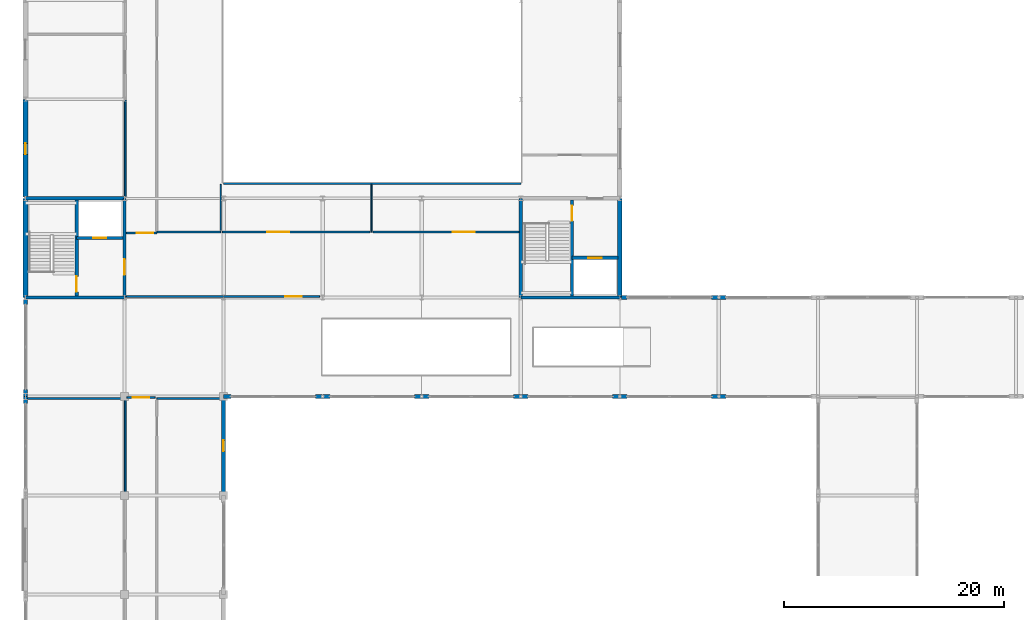
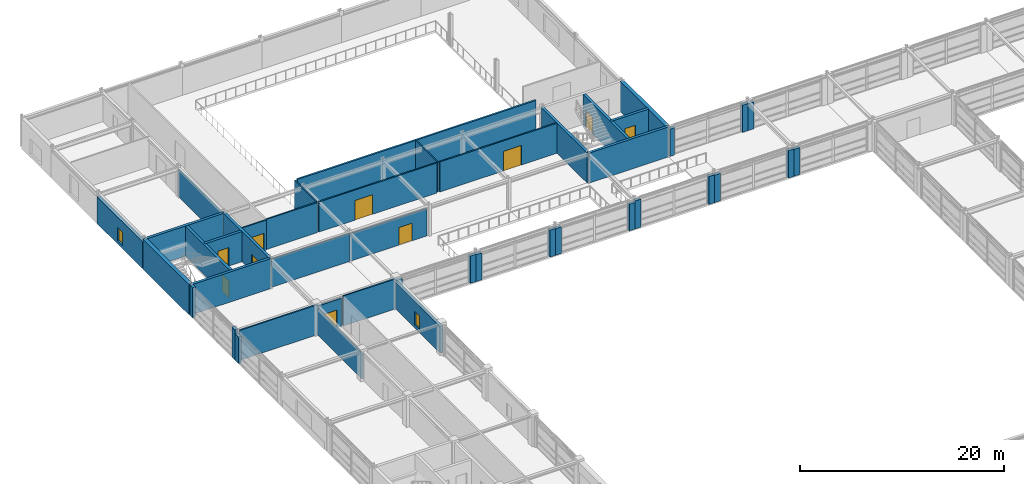
# One storey, part 67 of 79: 44 walls, 10 doors, 2 windows, 12 openings.
"""IFC4 building model written with IfcOpenShell, lengths in metres."""

import ifcopenshell
import ifcopenshell.guid

model = None  # the IFC model being written
_history = None  # IfcOwnerHistory: only IFC2X3 demands one
_inside = {}  # id of a spatial element -> (the spatial element, [elements in it])
_under = {}  # id of a project, library or spatial element -> (it, [spatial elements below it])
_declared = {}  # id of a project -> (the project, [libraries it declares])
_typed = {}  # id of a type object -> (the type object, [elements of that type])
_made_of = {}  # id of a material, layer set ... -> (it, [elements and type objects made of it])


def new_model(schema):
    """Start an empty IFC model of exactly this schema.

    Asked for "IFC4X3", IfcOpenShell would pick the latest addendum, in which some entities
    have other attributes; the version numbers below select the first issue.
    IFC2X3 requires an IfcOwnerHistory on every rooted entity: one is made here for all.
    """
    global model, _history
    if schema == "IFC4X3":
        model = ifcopenshell.file(schema_version=(4, 3, 0, 0))
    else:
        model = ifcopenshell.file(schema=schema)
    _inside.clear()
    _under.clear()
    _declared.clear()
    _typed.clear()
    _made_of.clear()
    _history = None
    if model.schema == "IFC2X3":
        org = make("IfcOrganization", Name="unknown")
        user = make(
            "IfcPersonAndOrganization",
            ThePerson=make("IfcPerson", FamilyName="unknown"),
            TheOrganization=org,
        )
        app = make(
            "IfcApplication",
            ApplicationDeveloper=org,
            Version="unknown",
            ApplicationFullName="unknown",
            ApplicationIdentifier="unknown",
        )
        _history = make(
            "IfcOwnerHistory",
            OwningUser=user,
            OwningApplication=app,
            ChangeAction="ADDED",
            CreationDate=0,
        )
    return model


def make(cls, **values):
    """One entity of the class cls with the attributes given. An attribute that is None is left unset."""
    return model.create_entity(
        cls, **{name: value for name, value in values.items() if value is not None}
    )


def rooted(cls, **values):
    """An entity with a GlobalId (a new one), such as an element, a storey or a relation."""
    return make(cls, GlobalId=ifcopenshell.guid.new(), OwnerHistory=_history, **values)


def si_unit(unit_type, name, prefix=None):
    """IfcSIUnit, for example si_unit("LENGTHUNIT", "METRE", prefix="MILLI")."""
    return make("IfcSIUnit", UnitType=unit_type, Prefix=prefix, Name=name)


def assignment(units):
    """IfcUnitAssignment: the units of a project."""
    return None if units is None else make("IfcUnitAssignment", Units=units)


def point(xyz):
    """IfcCartesianPoint."""
    return None if xyz is None else make("IfcCartesianPoint", Coordinates=xyz)


def direction(xyz):
    """IfcDirection."""
    return None if xyz is None else make("IfcDirection", DirectionRatios=xyz)


def frame(location, z_axis=None, x_axis=None):
    """IfcAxis2Placement3D, a coordinate frame: its origin and axes. An axis left out is left unset."""
    return make(
        "IfcAxis2Placement3D",
        Location=point(location),
        Axis=direction(z_axis),
        RefDirection=direction(x_axis),
    )


def frame_2d(location, x_axis=None):
    """IfcAxis2Placement2D, a coordinate frame in the plane: its origin and x axis."""
    return make(
        "IfcAxis2Placement2D", Location=point(location), RefDirection=direction(x_axis)
    )


def origin():
    """The frame at (0, 0, 0) with its axes left unset."""
    return frame((0.0, 0.0, 0.0))


def place(relative_to, where):
    """IfcLocalPlacement: puts the frame where relative to a parent placement (None: the world)."""
    return make(
        "IfcLocalPlacement", PlacementRelTo=relative_to, RelativePlacement=where
    )


def context(
    kind, dimensions, precision=None, world=None, true_north=None, identifier=None
):
    """IfcGeometricRepresentationContext, for example the 3D "Model" context."""
    return make(
        "IfcGeometricRepresentationContext",
        ContextIdentifier=identifier,
        ContextType=kind,
        CoordinateSpaceDimension=dimensions,
        Precision=precision,
        WorldCoordinateSystem=world,
        TrueNorth=true_north,
    )


def subcontext(parent, identifier, kind, view, scale=None):
    """IfcGeometricRepresentationSubContext, for example "Body" below "Model"."""
    return make(
        "IfcGeometricRepresentationSubContext",
        ContextIdentifier=identifier,
        ContextType=kind,
        ParentContext=parent,
        TargetScale=scale,
        TargetView=view,
    )


def project(units=None, contexts=None):
    """IfcProject with its units and contexts."""
    return rooted(
        "IfcProject",
        Name="project",
        RepresentationContexts=contexts,
        UnitsInContext=assignment(units),
    )


def spatial(cls, under=None, at=None, **own):
    """A site, building, storey or space (cls), placed at a placement, below another one or the project."""
    s = rooted(cls, ObjectPlacement=at, **own)
    if under is not None:
        _under.setdefault(under.id(), (under, []))[1].append(s)
    return s


def profile(cls, at=None, kind="AREA", **sizes):
    """A parametric profile (cls). Its sizes go by their IFC names, for example OverallWidth=200.0."""
    return make(cls, ProfileType=kind, Position=at, **sizes)


def rectangle(**sizes):
    """IfcRectangleProfileDef."""
    return profile("IfcRectangleProfileDef", **sizes)


def extrude(swept, where, along, depth):
    """IfcExtrudedAreaSolid: the profile swept, set in the frame where, extruded along a direction by depth."""
    return make(
        "IfcExtrudedAreaSolid",
        SweptArea=swept,
        Position=where,
        ExtrudedDirection=direction(along),
        Depth=depth,
    )


def shape(context_of_items, identifier, shape_type, items):
    """IfcShapeRepresentation: the items that make up one representation, for example the "Body"."""
    return make(
        "IfcShapeRepresentation",
        ContextOfItems=context_of_items,
        RepresentationIdentifier=identifier,
        RepresentationType=shape_type,
        Items=items,
    )


def material(Name=None, Category=None):
    """IfcMaterial."""
    return make("IfcMaterial", Name=Name, Category=Category)


def layer(
    of_material, thickness, ventilated=None, Name=None, Category=None, Priority=None
):
    """IfcMaterialLayer: one layer of a wall or slab, of a material (None: an air gap)."""
    return make(
        "IfcMaterialLayer",
        Material=of_material,
        LayerThickness=thickness,
        IsVentilated=ventilated,
        Name=Name,
        Category=Category,
        Priority=Priority,
    )


def layer_set(layers, Name=None):
    """IfcMaterialLayerSet."""
    return make("IfcMaterialLayerSet", MaterialLayers=layers, LayerSetName=Name)


def made_of(thing, what):
    """Note that an element or type object is made of a material, layer set ...; save() writes the relation."""
    if what is not None:
        _made_of.setdefault(what.id(), (what, []))[1].append(thing)
    return thing


def type_object(cls, material=None, **own):
    """A type object (cls), such as IfcWallType, which elements share."""
    return made_of(rooted(cls, **own), material)


def element(
    cls,
    number,
    at=None,
    inside=None,
    cuts=None,
    type_object=None,
    material=None,
    context=None,
    identifier="Body",
    shape_type=None,
    held_by="IfcProductDefinitionShape",
    body=None,
    shapes=None,
    **own,
):
    """One element of the class cls, such as IfcWall. Its Tag is "e" and its number.

    at: its placement. inside: the storey or other place that contains it. cuts: it is an
    opening in that element (IfcRelVoidsElement). A single representation is given by context,
    identifier, shape_type and body (its items); several are given by shapes. held_by: the class
    of the entity that holds the representations. save() writes the other relations.
    """
    e = rooted(cls, Tag="e%d" % number, ObjectPlacement=at, **own)
    if body is not None:
        shapes = [shape(context, identifier, shape_type, body)]
    if shapes is not None:
        e.Representation = make(held_by, Representations=shapes)
    if inside is not None:
        _inside.setdefault(inside.id(), (inside, []))[1].append(e)
    if cuts is not None:
        rooted(
            "IfcRelVoidsElement", RelatingBuildingElement=cuts, RelatedOpeningElement=e
        )
    if type_object is not None:
        _typed.setdefault(type_object.id(), (type_object, []))[1].append(e)
    return made_of(e, material)


def fill(opening, filler):
    """IfcRelFillsElement: the door or window that sits in an opening."""
    return rooted(
        "IfcRelFillsElement",
        RelatingOpeningElement=opening,
        RelatedBuildingElement=filler,
    )


def aggregate(whole, parts):
    """IfcRelAggregates: a whole, such as a stair, and the parts it consists of."""
    return rooted("IfcRelAggregates", RelatingObject=whole, RelatedObjects=parts)


def save(model, path):
    """Write the relations noted so far, then the file.

    IfcRelAggregates (storeys below a building ...), IfcRelContainedInSpatialStructure (elements
    in a storey), IfcRelDefinesByType, IfcRelAssociatesMaterial and IfcRelDeclares: one each for
    every whole, place, type object, material and project.
    """
    for whole, parts in _under.values():
        aggregate(whole, parts)
    for where, things in _inside.values():
        rooted(
            "IfcRelContainedInSpatialStructure",
            RelatedElements=things,
            RelatingStructure=where,
        )
    for kind, things in _typed.values():
        rooted("IfcRelDefinesByType", RelatedObjects=things, RelatingType=kind)
    for what, things in _made_of.values():
        rooted("IfcRelAssociatesMaterial", RelatedObjects=things, RelatingMaterial=what)
    for by, libraries in _declared.values():
        rooted("IfcRelDeclares", RelatingContext=by, RelatedDefinitions=libraries)
    model.write(path)


model = new_model("IFC4")

# Units and contexts
model_context = context("Model", 3, precision=1e-05, world=origin(), true_north=direction((0.0, 1.0)))
body_context = subcontext(model_context, "Body", "Model", "MODEL_VIEW")
ifc_project = project(units=[si_unit("LENGTHUNIT", "METRE"), si_unit("AREAUNIT", "SQUARE_METRE"), si_unit("VOLUMEUNIT", "CUBIC_METRE"), si_unit("PLANEANGLEUNIT", "RADIAN"), si_unit("MASSUNIT", "GRAM", prefix="KILO")], contexts=[model_context])

# Site, building, storey
site_placement = place(None, origin())
site = spatial("IfcSite", under=ifc_project, at=site_placement, CompositionType="ELEMENT")
building_placement = place(site_placement, origin())
building = spatial("IfcBuilding", under=site, at=building_placement, Name="Palais des Congres Ocreval", CompositionType="ELEMENT")
storey_placement = place(building_placement, frame((0.0, 0.0, 4.320068359375)))
storey = spatial("IfcBuildingStorey", under=building, at=storey_placement, Name="L01", CompositionType="ELEMENT", Elevation=4.320068359375)

# Walls
ifc_material_1 = material(Name="Gypsum acoustic fire board")
ifc_layer_1 = layer(ifc_material_1, 0.199951171875)
ifc_layer_set_1 = layer_set([ifc_layer_1], Name="Compartment Fire Partition 200 Gypsum (Gypsum acoustic fire board)")
wall_type_1 = type_object("IfcWallType", Name="Compartment Fire Partition 200 Gypsum", PredefinedType="PARTITIONING", material=ifc_layer_set_1)
wall_1_placement = place(storey_placement, frame((18.0, 91.35009765625, 0.0), z_axis=(0.0, 0.0, 1.0), x_axis=(1.0, 0.0, 0.0)))
element("IfcWall", 1, at=wall_1_placement, inside=storey, type_object=wall_type_1, Name="Interpretation Booths Acoustic Viewing Wall", PredefinedType="PARTITIONING", context=body_context, shape_type="SweptSolid", body=[
    extrude(rectangle(XDim=27.0, YDim=0.199951171875, at=frame_2d((13.5, 0.0))), origin(), (0.0, 0.0, 1.0), 3.599853515625),
])
ifc_material_2 = material(Name="Concrete C40/50", Category="concrete")
ifc_layer_2 = layer(ifc_material_2, 0.419921875)
ifc_layer_set_2 = layer_set([ifc_layer_2], Name="Congress Stone Facade Wall 420 Concrete C40/50")
wall_type_2 = type_object("IfcWallType", Name="Congress Stone Facade Wall 420 Concrete C40/50", PredefinedType="SOLIDWALL", material=ifc_layer_set_2)
wall_2_placement = place(storey_placement, frame((0.0, 81.0, 0.0), z_axis=(0.0, 0.0, 1.0), x_axis=(0.0, 1.0, 0.0)))
element("IfcWall", 2, at=wall_2_placement, inside=storey, type_object=wall_type_2, Name="Core Perimeter Shear Wall EW02 SC05 L01", PredefinedType="SOLIDWALL", context=body_context, shape_type="SweptSolid", body=[
    extrude(rectangle(XDim=9.0, YDim=0.419921875, at=frame_2d((4.5, 0.0))), origin(), (0.0, 0.0, 1.0), 3.599853515625),
])

# Wall, opening, window
wall_3_placement = place(storey_placement, frame((0.0, 90.1298828125, 0.0), z_axis=(0.0, 0.0, 1.0), x_axis=(0.0, 1.0, 0.0)))
wall_3 = element("IfcWall", 3, at=wall_3_placement, inside=storey, type_object=wall_type_2, Name="Exterior Wall EW02 L01", PredefinedType="SOLIDWALL", context=body_context, shape_type="SweptSolid", body=[
    extrude(rectangle(XDim=8.8701171875, YDim=0.419921875, at=frame_2d((4.43505859375, 0.0))), origin(), (0.0, 0.0, 1.0), 3.219970703125),
])
opening_1_placement = place(wall_3_placement, frame((3.8701171875, 0.0, 0.39990234375)))
opening_1 = element("IfcOpeningElement", 4, at=opening_1_placement, cuts=wall_3, Name="Opening WN18", PredefinedType="OPENING", context=body_context, shape_type="SweptSolid", body=[
    extrude(rectangle(XDim=1.0, YDim=1.60009765625, at=frame_2d((0.5, 0.800048828125))), frame((0.0, 0.219970703125, 0.0), z_axis=(0.0, -1.0, 0.0), x_axis=(1.0, 0.0, 0.0)), (0.0, 0.0, 1.0), 0.43994140625),
])
ifc_material_3 = material(Name="Anodized bronze aluminium and low-E glass", Category="glass")
window_type = type_object("IfcWindowType", Name="Stair and Lobby Daylight Window 1000x1600", PartitioningType="SINGLE_PANEL", PredefinedType="WINDOW", material=ifc_material_3)
window_1_placement = place(opening_1_placement, origin())
window_1 = element("IfcWindow", 5, at=window_1_placement, inside=storey, type_object=window_type, Name="Facade Window WN18", OverallHeight=1.60009765625, OverallWidth=1.0, PartitioningType="SINGLE_PANEL", PredefinedType="WINDOW", context=body_context, shape_type="SweptSolid", body=[
    extrude(rectangle(XDim=1.0, YDim=1.60009765625, at=frame_2d((0.5, 0.800048828125))), frame((0.0, 0.030029296875, 0.0), z_axis=(0.0, -1.0, 0.0), x_axis=(1.0, 0.0, 0.0)), (0.0, 0.0, 1.0), 0.06005859375),
])
fill(opening_1, window_1)

# Walls
wall_4_placement = place(storey_placement, frame((54.0, 90.0, 0.0), z_axis=(0.0, 0.0, 1.0), x_axis=(0.0, -1.0, 0.0)))
element("IfcWall", 6, at=wall_4_placement, inside=storey, type_object=wall_type_2, Name="Core Perimeter Shear Wall EW02 SC06 L01", PredefinedType="SOLIDWALL", context=body_context, shape_type="SweptSolid", body=[
    extrude(rectangle(XDim=9.0, YDim=0.419921875, at=frame_2d((4.5, 0.0))), origin(), (0.0, 0.0, 1.0), 3.599853515625),
])
ifc_layer_3 = layer(ifc_material_2, 0.300048828125)
ifc_layer_set_3 = layer_set([ifc_layer_3], Name="Core Shear Wall 300 Concrete C40/50")
wall_type_3 = type_object("IfcWallType", Name="Core Shear Wall 300 Concrete C40/50", PredefinedType="SHEAR", material=ifc_layer_set_3)
wall_5_placement = place(storey_placement, frame((0.0, 81.0, 0.0), z_axis=(0.0, 0.0, 1.0), x_axis=(1.0, 0.0, 0.0)))
element("IfcWall", 7, at=wall_5_placement, inside=storey, type_object=wall_type_3, Name="Core Shear Wall SC05 L01 S", PredefinedType="SHEAR", context=body_context, shape_type="SweptSolid", body=[
    extrude(rectangle(XDim=9.0, YDim=0.300048828125, at=frame_2d((4.5, 0.0))), origin(), (0.0, 0.0, 1.0), 3.599853515625),
])

# Wall, opening, door
wall_6_placement = place(storey_placement, frame((9.0, 81.0, 0.0), z_axis=(0.0, 0.0, 1.0), x_axis=(0.0, 1.0, 0.0)))
wall_6 = element("IfcWall", 8, at=wall_6_placement, inside=storey, type_object=wall_type_3, Name="Core Shear Wall SC05 L01 E", PredefinedType="SHEAR", context=body_context, shape_type="SweptSolid", body=[
    extrude(rectangle(XDim=9.0, YDim=0.300048828125, at=frame_2d((4.5, 0.0))), origin(), (0.0, 0.0, 1.0), 3.599853515625),
])
opening_2_placement = place(wall_6_placement, frame((2.050048828125, 0.0, 0.0)))
opening_2 = element("IfcOpeningElement", 9, at=opening_2_placement, cuts=wall_6, Name="Opening D03", PredefinedType="OPENING", context=body_context, shape_type="SweptSolid", body=[
    extrude(rectangle(XDim=1.39990234375, YDim=2.02001953125, at=frame_2d((0.699951171875, 1.010009765625))), frame((0.0, 0.159912109375, 0.0), z_axis=(0.0, -1.0, 0.0), x_axis=(1.0, 0.0, 0.0)), (0.0, 0.0, 1.0), 0.320068359375),
])
ifc_material_4 = material(Name="Painted fire-rated steel", Category="steel")
door_type_1 = type_object("IfcDoorType", Name="Core Lobby Rated Door 1400x2020", OperationType="NOTDEFINED", PredefinedType="DOOR", material=ifc_material_4)
door_1_placement = place(opening_2_placement, origin())
door_1 = element("IfcDoor", 10, at=door_1_placement, inside=storey, type_object=door_type_1, Name="Lobby Entrance Door SC05 L01", OperationType="DOUBLE_DOOR_SINGLE_SWING", OverallHeight=2.02001953125, OverallWidth=1.39990234375, PredefinedType="DOOR", context=body_context, shape_type="SweptSolid", body=[
    extrude(rectangle(XDim=1.39990234375, YDim=2.02001953125, at=frame_2d((0.699951171875, 1.010009765625))), frame((0.0, 0.02490234375, 0.0), z_axis=(0.0, -1.0, 0.0), x_axis=(1.0, 0.0, 0.0)), (0.0, 0.0, 1.0), 0.050048828125),
])
fill(opening_2, door_1)

# Wall
wall_7_placement = place(storey_placement, frame((0.0, 90.0, 0.0), z_axis=(0.0, 0.0, 1.0), x_axis=(1.0, 0.0, 0.0)))
element("IfcWall", 11, at=wall_7_placement, inside=storey, type_object=wall_type_3, Name="Core Shear Wall SC05 L01 N", PredefinedType="SHEAR", context=body_context, shape_type="SweptSolid", body=[
    extrude(rectangle(XDim=9.0, YDim=0.300048828125, at=frame_2d((4.5, 0.0))), origin(), (0.0, 0.0, 1.0), 3.599853515625),
])

# Wall, opening, door
wall_8_placement = place(storey_placement, frame((4.64990234375, 81.14990234375, 0.0), z_axis=(0.0, 0.0, 1.0), x_axis=(0.0, 1.0, 0.0)))
wall_8 = element("IfcWall", 12, at=wall_8_placement, inside=storey, type_object=wall_type_3, Name="Core Spine Shear Wall SC05 L01", PredefinedType="SHEAR", context=body_context, shape_type="SweptSolid", body=[
    extrude(rectangle(XDim=8.7001953125, YDim=0.300048828125, at=frame_2d((4.35009765625, 0.0))), origin(), (0.0, 0.0, 1.0), 3.599853515625),
])
opening_3_placement = place(wall_8_placement, frame((0.35009765625, 0.0, 0.0)))
opening_3 = element("IfcOpeningElement", 13, at=opening_3_placement, cuts=wall_8, Name="Opening D03", PredefinedType="OPENING", context=body_context, shape_type="SweptSolid", body=[
    extrude(rectangle(XDim=1.39990234375, YDim=2.02001953125, at=frame_2d((0.699951171875, 1.010009765625))), frame((0.0, 0.159912109375, 0.0), z_axis=(0.0, -1.0, 0.0), x_axis=(1.0, 0.0, 0.0)), (0.0, 0.0, 1.0), 0.320068359375),
])
door_2_placement = place(opening_3_placement, origin())
door_2 = element("IfcDoor", 14, at=door_2_placement, inside=storey, type_object=door_type_1, Name="Protected Exit Stair Door ST05 L01", OperationType="SINGLE_SWING_LEFT", OverallHeight=2.02001953125, OverallWidth=1.39990234375, PredefinedType="DOOR", context=body_context, shape_type="SweptSolid", body=[
    extrude(rectangle(XDim=1.39990234375, YDim=2.02001953125, at=frame_2d((0.699951171875, 1.010009765625))), frame((0.0, 0.02490234375, 0.0), z_axis=(0.0, -1.0, 0.0), x_axis=(1.0, 0.0, 0.0)), (0.0, 0.0, 1.0), 0.050048828125),
])
fill(opening_3, door_2)

wall_9_placement = place(storey_placement, frame((4.64990234375, 86.39990234375, 0.0), z_axis=(0.0, 0.0, 1.0), x_axis=(1.0, 0.0, 0.0)))
wall_9 = element("IfcWall", 15, at=wall_9_placement, inside=storey, type_object=wall_type_3, Name="Lift Shaft Front Wall SC05 L01", PredefinedType="SHEAR", context=body_context, shape_type="SweptSolid", body=[
    extrude(rectangle(XDim=4.2001953125, YDim=0.300048828125, at=frame_2d((2.10009765625, 0.0))), origin(), (0.0, 0.0, 1.0), 3.599853515625),
])
opening_4_placement = place(wall_9_placement, frame((1.5, 0.0, 0.0)))
opening_4 = element("IfcOpeningElement", 16, at=opening_4_placement, cuts=wall_9, Name="Opening LD02", PredefinedType="OPENING", context=body_context, shape_type="SweptSolid", body=[
    extrude(rectangle(XDim=1.199951171875, YDim=2.199951171875, at=frame_2d((0.60009765625, 1.10009765625))), frame((0.0, 0.159912109375, 0.0), z_axis=(0.0, -1.0, 0.0), x_axis=(1.0, 0.0, 0.0)), (0.0, 0.0, 1.0), 0.320068359375),
])
ifc_material_5 = material(Name="Anodized bronze steel", Category="steel")
door_type_2 = type_object("IfcDoorType", Name="Passenger and Service Lift Sliding Door 1200x2200", OperationType="NOTDEFINED", PredefinedType="DOOR", material=ifc_material_5)
door_3_placement = place(opening_4_placement, origin())
door_3 = element("IfcDoor", 17, at=door_3_placement, inside=storey, type_object=door_type_2, Name="Lift Landing Sliding Door CL1 L01", OperationType="DOUBLE_DOOR_SLIDING", OverallHeight=2.199951171875, OverallWidth=1.199951171875, PredefinedType="DOOR", context=body_context, shape_type="SweptSolid", body=[
    extrude(rectangle(XDim=1.199951171875, YDim=2.199951171875, at=frame_2d((0.60009765625, 1.10009765625))), frame((0.0, 0.02490234375, 0.0), z_axis=(0.0, -1.0, 0.0), x_axis=(1.0, 0.0, 0.0)), (0.0, 0.0, 1.0), 0.050048828125),
])
fill(opening_4, door_3)

# Walls
for number, where, z_axis, x_axis, name in (
    (18, (45.0, 81.0, 0.0), (0.0, 0.0, 1.0), (1.0, 0.0, 0.0), "Core Shear Wall SC06 L01 S"),
    (19, (45.0, 81.0, 0.0), (0.0, 0.0, 1.0), (0.0, 1.0, 0.0), "Core Shear Wall SC06 L01 W"),
):
    element("IfcWall", number, at=place(storey_placement, frame(where, z_axis=z_axis, x_axis=x_axis)), inside=storey, type_object=wall_type_3, Name=name, PredefinedType="SHEAR", context=body_context, shape_type="SweptSolid", body=[
        extrude(rectangle(XDim=9.0, YDim=0.300048828125, at=frame_2d((4.5, 0.0))), origin(), (0.0, 0.0, 1.0), 3.599853515625),
    ])

# Wall, opening, door
wall_10_placement = place(storey_placement, frame((49.64990234375, 81.14990234375, 0.0), z_axis=(0.0, 0.0, 1.0), x_axis=(0.0, 1.0, 0.0)))
wall_10 = element("IfcWall", 20, at=wall_10_placement, inside=storey, type_object=wall_type_3, Name="Core Spine Shear Wall SC06 L01", PredefinedType="SHEAR", context=body_context, shape_type="SweptSolid", body=[
    extrude(rectangle(XDim=8.7001953125, YDim=0.300048828125, at=frame_2d((4.35009765625, 0.0))), origin(), (0.0, 0.0, 1.0), 3.599853515625),
])
opening_5_placement = place(wall_10_placement, frame((6.800048828125, 0.0, 0.0)))
opening_5 = element("IfcOpeningElement", 21, at=opening_5_placement, cuts=wall_10, Name="Opening D03", PredefinedType="OPENING", context=body_context, shape_type="SweptSolid", body=[
    extrude(rectangle(XDim=1.39990234375, YDim=2.02001953125, at=frame_2d((0.699951171875, 1.010009765625))), frame((0.0, 0.159912109375, 0.0), z_axis=(0.0, -1.0, 0.0), x_axis=(1.0, 0.0, 0.0)), (0.0, 0.0, 1.0), 0.320068359375),
])
door_4_placement = place(opening_5_placement, origin())
door_4 = element("IfcDoor", 22, at=door_4_placement, inside=storey, type_object=door_type_1, Name="Protected Exit Stair Door ST06 L01", OperationType="SINGLE_SWING_RIGHT", OverallHeight=2.02001953125, OverallWidth=1.39990234375, PredefinedType="DOOR", context=body_context, shape_type="SweptSolid", body=[
    extrude(rectangle(XDim=1.39990234375, YDim=2.02001953125, at=frame_2d((0.699951171875, 1.010009765625))), frame((0.0, 0.02490234375, 0.0), z_axis=(0.0, -1.0, 0.0), x_axis=(1.0, 0.0, 0.0)), (0.0, 0.0, 1.0), 0.050048828125),
])
fill(opening_5, door_4)

wall_11_placement = place(storey_placement, frame((49.64990234375, 84.60009765625, 0.0), z_axis=(0.0, 0.0, 1.0), x_axis=(1.0, 0.0, 0.0)))
wall_11 = element("IfcWall", 23, at=wall_11_placement, inside=storey, type_object=wall_type_3, Name="Lift Shaft Front Wall SC06 L01", PredefinedType="SHEAR", context=body_context, shape_type="SweptSolid", body=[
    extrude(rectangle(XDim=4.2001953125, YDim=0.300048828125, at=frame_2d((2.10009765625, 0.0))), origin(), (0.0, 0.0, 1.0), 3.599853515625),
])
opening_6_placement = place(wall_11_placement, frame((1.5, 0.0, 0.0)))
opening_6 = element("IfcOpeningElement", 24, at=opening_6_placement, cuts=wall_11, Name="Opening LD02", PredefinedType="OPENING", context=body_context, shape_type="SweptSolid", body=[
    extrude(rectangle(XDim=1.199951171875, YDim=2.199951171875, at=frame_2d((0.60009765625, 1.10009765625))), frame((0.0, 0.159912109375, 0.0), z_axis=(0.0, -1.0, 0.0), x_axis=(1.0, 0.0, 0.0)), (0.0, 0.0, 1.0), 0.320068359375),
])
door_5_placement = place(opening_6_placement, origin())
door_5 = element("IfcDoor", 25, at=door_5_placement, inside=storey, type_object=door_type_2, Name="Lift Landing Sliding Door BL2 L01", OperationType="DOUBLE_DOOR_SLIDING", OverallHeight=2.199951171875, OverallWidth=1.199951171875, PredefinedType="DOOR", context=body_context, shape_type="SweptSolid", body=[
    extrude(rectangle(XDim=1.199951171875, YDim=2.199951171875, at=frame_2d((0.60009765625, 1.10009765625))), frame((0.0, 0.02490234375, 0.0), z_axis=(0.0, -1.0, 0.0), x_axis=(1.0, 0.0, 0.0)), (0.0, 0.0, 1.0), 0.050048828125),
])
fill(opening_6, door_5)

# Walls
ifc_material_6 = material(Name="Gypsum acoustic partition")
ifc_layer_4 = layer(ifc_material_6, 0.159912109375)
ifc_layer_set_4 = layer_set([ifc_layer_4], Name="Corridor Fire Partition 160 Gypsum (Gypsum acoustic partition)")
wall_type_4 = type_object("IfcWallType", Name="Corridor Fire Partition 160 Gypsum", PredefinedType="PARTITIONING", material=ifc_layer_set_4)
wall_12_placement = place(storey_placement, frame((0.175048828125, 71.824951171875, 0.0), z_axis=(0.0, 0.0, 1.0), x_axis=(1.0, 0.0, 0.0)))
element("IfcWall", 26, at=wall_12_placement, inside=storey, type_object=wall_type_4, Name="Interior Partition IW03 L01", PredefinedType="PARTITIONING", context=body_context, shape_type="SweptSolid", body=[
    extrude(rectangle(XDim=8.885009765625, YDim=0.159912109375, at=frame_2d((4.4423828125, 0.0))), origin(), (0.0, 0.0, 1.0), 3.58984375),
])
wall_13_placement = place(storey_placement, frame((11.93994140625, 71.824951171875, 0.0), z_axis=(0.0, 0.0, 1.0), x_axis=(1.0, 0.0, 0.0)))
element("IfcWall", 27, at=wall_13_placement, inside=storey, type_object=wall_type_4, Name="Interior Partition IW03 L01", PredefinedType="PARTITIONING", context=body_context, shape_type="SweptSolid", body=[
    extrude(rectangle(XDim=5.885009765625, YDim=0.159912109375, at=frame_2d((2.9423828125, 0.0))), origin(), (0.0, 0.0, 1.0), 3.58984375),
])
wall_14_placement = place(storey_placement, frame((11.93994140625, 86.93505859375, 0.0), z_axis=(0.0, 0.0, 1.0), x_axis=(1.0, 0.0, 0.0)))
element("IfcWall", 28, at=wall_14_placement, inside=storey, type_object=wall_type_4, Name="Interior Partition IW03 L01", PredefinedType="PARTITIONING", context=body_context, shape_type="SweptSolid", body=[
    extrude(rectangle(XDim=5.7900390625, YDim=0.159912109375, at=frame_2d((2.89501953125, 0.0))), origin(), (0.0, 0.0, 1.0), 3.599853515625),
])

# Wall, opening, door
wall_15_placement = place(storey_placement, frame((9.219970703125, 71.909912109375, 0.0), z_axis=(0.0, 0.0, 1.0), x_axis=(1.0, 0.0, 0.0)))
wall_15 = element("IfcWall", 29, at=wall_15_placement, inside=storey, type_object=wall_type_4, Name="Interior Partition IW03 L01", PredefinedType="PARTITIONING", context=body_context, shape_type="SweptSolid", body=[
    extrude(rectangle(XDim=2.56005859375, YDim=0.159912109375, at=frame_2d((1.280029296875, 0.0))), origin(), (0.0, 0.0, 1.0), 3.349853515625),
])
opening_7_placement = place(wall_15_placement, frame((0.530029296875, 0.0, 0.0)))
opening_7 = element("IfcOpeningElement", 30, at=opening_7_placement, cuts=wall_15, Name="Opening D04", PredefinedType="OPENING", context=body_context, shape_type="SweptSolid", body=[
    extrude(rectangle(XDim=1.5, YDim=2.10009765625, at=frame_2d((0.75, 1.050048828125))), frame((0.0, 0.08984375, 0.0), z_axis=(0.0, -1.0, 0.0), x_axis=(1.0, 0.0, 0.0)), (0.0, 0.0, 1.0), 0.179931640625),
])
ifc_material_7 = material(Name="Solid French oak fire door", Category="wood")
door_type_3 = type_object("IfcDoorType", Name="Corridor Compartment Double Door 1500x2100", OperationType="NOTDEFINED", PredefinedType="DOOR", material=ifc_material_7)
door_6_placement = place(opening_7_placement, origin())
door_6 = element("IfcDoor", 31, at=door_6_placement, inside=storey, type_object=door_type_3, Name="Interior Door D04 L01", OperationType="DOUBLE_DOOR_SINGLE_SWING", OverallHeight=2.10009765625, OverallWidth=1.5, PredefinedType="DOOR", context=body_context, shape_type="SweptSolid", body=[
    extrude(rectangle(XDim=1.5, YDim=2.10009765625, at=frame_2d((0.75, 1.050048828125))), frame((0.0, 0.02490234375, 0.0), z_axis=(0.0, -1.0, 0.0), x_axis=(1.0, 0.0, 0.0)), (0.0, 0.0, 1.0), 0.050048828125),
])
fill(opening_7, door_6)

wall_16_placement = place(storey_placement, frame((9.155029296875, 86.85009765625, 0.0), z_axis=(0.0, 0.0, 1.0), x_axis=(1.0, 0.0, 0.0)))
wall_16 = element("IfcWall", 32, at=wall_16_placement, inside=storey, type_object=wall_type_4, Name="Interior Partition IW03 L01", PredefinedType="PARTITIONING", context=body_context, shape_type="SweptSolid", body=[
    extrude(rectangle(XDim=2.77490234375, YDim=0.159912109375, at=frame_2d((1.387451171875, 0.0))), origin(), (0.0, 0.0, 1.0), 3.599853515625),
])
opening_8_placement = place(wall_16_placement, frame((0.970458984375, 0.0, 0.0)))
opening_8 = element("IfcOpeningElement", 33, at=opening_8_placement, cuts=wall_16, Name="Opening D04", PredefinedType="OPENING", context=body_context, shape_type="SweptSolid", body=[
    extrude(rectangle(XDim=1.5, YDim=2.10009765625, at=frame_2d((0.75, 1.050048828125))), frame((0.0, 0.08984375, 0.0), z_axis=(0.0, -1.0, 0.0), x_axis=(1.0, 0.0, 0.0)), (0.0, 0.0, 1.0), 0.179931640625),
])
door_7_placement = place(opening_8_placement, origin())
door_7 = element("IfcDoor", 34, at=door_7_placement, inside=storey, type_object=door_type_3, Name="Interior Door D04 L01", OperationType="DOUBLE_DOOR_SINGLE_SWING", OverallHeight=2.10009765625, OverallWidth=1.5, PredefinedType="DOOR", context=body_context, shape_type="SweptSolid", body=[
    extrude(rectangle(XDim=1.5, YDim=2.10009765625, at=frame_2d((0.75, 1.050048828125))), frame((0.0, 0.02490234375, 0.0), z_axis=(0.0, -1.0, 0.0), x_axis=(1.0, 0.0, 0.0)), (0.0, 0.0, 1.0), 0.050048828125),
])
fill(opening_8, door_7)

wall_17_placement = place(storey_placement, frame((17.889892578125, 86.93505859375, 0.0), z_axis=(0.0, 0.0, 1.0), x_axis=(1.0, 0.0, 0.0)))
wall_17 = element("IfcWall", 35, at=wall_17_placement, inside=storey, type_object=wall_type_4, Name="Interior Partition IW03 L01", PredefinedType="PARTITIONING", context=body_context, shape_type="SweptSolid", body=[
    extrude(rectangle(XDim=13.39013671875, YDim=0.159912109375, at=frame_2d((6.695068359375, 0.0))), origin(), (0.0, 0.0, 1.0), 3.599853515625),
])
opening_9_placement = place(wall_17_placement, frame((4.088134765625, 0.0, 0.0)))
opening_9 = element("IfcOpeningElement", 36, at=opening_9_placement, cuts=wall_17, Name="Opening D13", PredefinedType="OPENING", context=body_context, shape_type="SweptSolid", body=[
    extrude(rectangle(XDim=2.0, YDim=2.35009765625, at=frame_2d((1.0, 1.175048828125))), frame((0.0, 0.08984375, 0.0), z_axis=(0.0, -1.0, 0.0), x_axis=(1.0, 0.0, 0.0)), (0.0, 0.0, 1.0), 0.179931640625),
])
ifc_material_8 = material(Name="Acoustic oak and bronze", Category="wood")
door_type_4 = type_object("IfcDoorType", Name="Congress Hall Acoustic Double Door 2000x2350", OperationType="NOTDEFINED", PredefinedType="DOOR", material=ifc_material_8)
door_8_placement = place(opening_9_placement, origin())
door_8 = element("IfcDoor", 37, at=door_8_placement, inside=storey, type_object=door_type_4, Name="Interior Door D13 L01", OperationType="DOUBLE_DOOR_SINGLE_SWING", OverallHeight=2.35009765625, OverallWidth=2.0, PredefinedType="DOOR", context=body_context, shape_type="SweptSolid", body=[
    extrude(rectangle(XDim=2.0, YDim=2.35009765625, at=frame_2d((1.0, 1.175048828125))), frame((0.0, 0.02490234375, 0.0), z_axis=(0.0, -1.0, 0.0), x_axis=(1.0, 0.0, 0.0)), (0.0, 0.0, 1.0), 0.050048828125),
])
fill(opening_9, door_8)

wall_18_placement = place(storey_placement, frame((31.590087890625, 86.93505859375, 0.0), z_axis=(0.0, 0.0, 1.0), x_axis=(1.0, 0.0, 0.0)))
wall_18 = element("IfcWall", 38, at=wall_18_placement, inside=storey, type_object=wall_type_4, Name="Interior Partition IW03 L01", PredefinedType="PARTITIONING", context=body_context, shape_type="SweptSolid", body=[
    extrude(rectangle(XDim=13.2548828125, YDim=0.159912109375, at=frame_2d((6.62744140625, 0.0))), origin(), (0.0, 0.0, 1.0), 3.599853515625),
])
opening_10_placement = place(wall_18_placement, frame((7.218017578125, 0.0, 0.0)))
opening_10 = element("IfcOpeningElement", 39, at=opening_10_placement, cuts=wall_18, Name="Opening D13", PredefinedType="OPENING", context=body_context, shape_type="SweptSolid", body=[
    extrude(rectangle(XDim=2.0, YDim=2.35009765625, at=frame_2d((1.0, 1.175048828125))), frame((0.0, 0.08984375, 0.0), z_axis=(0.0, -1.0, 0.0), x_axis=(1.0, 0.0, 0.0)), (0.0, 0.0, 1.0), 0.179931640625),
])
door_9_placement = place(opening_10_placement, origin())
door_9 = element("IfcDoor", 40, at=door_9_placement, inside=storey, type_object=door_type_4, Name="Interior Door D13 L01", OperationType="DOUBLE_DOOR_SINGLE_SWING", OverallHeight=2.35009765625, OverallWidth=2.0, PredefinedType="DOOR", context=body_context, shape_type="SweptSolid", body=[
    extrude(rectangle(XDim=2.0, YDim=2.35009765625, at=frame_2d((1.0, 1.175048828125))), frame((0.0, 0.02490234375, 0.0), z_axis=(0.0, -1.0, 0.0), x_axis=(1.0, 0.0, 0.0)), (0.0, 0.0, 1.0), 0.050048828125),
])
fill(opening_10, door_9)

# Walls
wall_19_placement = place(storey_placement, frame((9.155029296875, 81.090087890625, 0.0), z_axis=(0.0, 0.0, 1.0), x_axis=(1.0, 0.0, 0.0)))
element("IfcWall", 41, at=wall_19_placement, inside=storey, type_object=wall_type_4, Name="Interior Partition IW03 L01", PredefinedType="PARTITIONING", context=body_context, shape_type="SweptSolid", body=[
    extrude(rectangle(XDim=8.824951171875, YDim=0.159912109375, at=frame_2d((4.41259765625, 0.0))), origin(), (0.0, 0.0, 1.0), 3.349853515625),
])
wall_20_placement = place(storey_placement, frame((9.06494140625, 90.155029296875, 0.0), z_axis=(0.0, 0.0, 1.0), x_axis=(0.0, 1.0, 0.0)))
element("IfcWall", 42, at=wall_20_placement, inside=storey, type_object=wall_type_4, Name="Interior Partition IW03 L01", PredefinedType="PARTITIONING", context=body_context, shape_type="SweptSolid", body=[
    extrude(rectangle(XDim=8.824951171875, YDim=0.159912109375, at=frame_2d((4.41259765625, 0.0))), origin(), (0.0, 0.0, 1.0), 3.2900390625),
])
wall_21_placement = place(storey_placement, frame((9.06494140625, 62.97998046875, 0.0), z_axis=(0.0, 0.0, 1.0), x_axis=(0.0, 1.0, 0.0)))
element("IfcWall", 43, at=wall_21_placement, inside=storey, type_object=wall_type_4, Name="Interior Partition IW03 L01", PredefinedType="PARTITIONING", context=body_context, shape_type="SweptSolid", body=[
    extrude(rectangle(XDim=8.68994140625, YDim=0.159912109375, at=frame_2d((4.344970703125, 0.0))), origin(), (0.0, 0.0, 1.0), 3.08984375),
])

# Wall, opening, door
wall_22_placement = place(storey_placement, frame((17.97998046875, 81.090087890625, 0.0), z_axis=(0.0, 0.0, 1.0), x_axis=(1.0, 0.0, 0.0)))
wall_22 = element("IfcWall", 44, at=wall_22_placement, inside=storey, type_object=wall_type_4, Name="Interior Partition IW03 L01", PredefinedType="PARTITIONING", context=body_context, shape_type="SweptSolid", body=[
    extrude(rectangle(XDim=8.75, YDim=0.159912109375, at=frame_2d((4.375, 0.0))), origin(), (0.0, 0.0, 1.0), 3.280029296875),
])
opening_11_placement = place(wall_22_placement, frame((5.60009765625, 0.0, 0.0)))
opening_11 = element("IfcOpeningElement", 45, at=opening_11_placement, cuts=wall_22, Name="Opening D04", PredefinedType="OPENING", context=body_context, shape_type="SweptSolid", body=[
    extrude(rectangle(XDim=1.5, YDim=2.10009765625, at=frame_2d((0.75, 1.050048828125))), frame((0.0, 0.08984375, 0.0), z_axis=(0.0, -1.0, 0.0), x_axis=(1.0, 0.0, 0.0)), (0.0, 0.0, 1.0), 0.179931640625),
])
door_10_placement = place(opening_11_placement, origin())
door_10 = element("IfcDoor", 46, at=door_10_placement, inside=storey, type_object=door_type_3, Name="Interior Door D04 L01", OperationType="DOUBLE_DOOR_SINGLE_SWING", OverallHeight=2.10009765625, OverallWidth=1.5, PredefinedType="DOOR", context=body_context, shape_type="SweptSolid", body=[
    extrude(rectangle(XDim=1.5, YDim=2.10009765625, at=frame_2d((0.75, 1.050048828125))), frame((0.0, 0.02490234375, 0.0), z_axis=(0.0, -1.0, 0.0), x_axis=(1.0, 0.0, 0.0)), (0.0, 0.0, 1.0), 0.050048828125),
])
fill(opening_11, door_10)

# Walls
ifc_layer_5 = layer(ifc_material_2, 0.340087890625)
ifc_layer_set_5 = layer_set([ifc_layer_5], Name="Ochre Mineral-Lime Courtyard Wall 340 Concrete C40/50")
wall_type_5 = type_object("IfcWallType", Name="Ochre Mineral-Lime Courtyard Wall 340 Concrete C40/50", PredefinedType="SOLIDWALL", material=ifc_layer_set_5)
wall_23_placement = place(storey_placement, frame((0.0, 71.35009765625, 0.0), z_axis=(0.0, 0.0, 1.0), x_axis=(0.0, 1.0, 0.0)))
element("IfcWall", 47, at=wall_23_placement, inside=storey, type_object=wall_type_5, Name="Facade Pier EW04 L01", PredefinedType="SOLIDWALL", context=body_context, shape_type="SweptSolid", body=[
    extrude(rectangle(XDim=0.64990234375, YDim=0.340087890625, at=frame_2d((0.324951171875, 0.0))), origin(), (0.0, 0.0, 1.0), 3.179931640625),
])
wall_24_placement = place(storey_placement, frame((0.0, 72.0, 0.0), z_axis=(0.0, 0.0, 1.0), x_axis=(0.0, 1.0, 0.0)))
element("IfcWall", 48, at=wall_24_placement, inside=storey, type_object=wall_type_5, Name="Facade Pier EW04 L01", PredefinedType="SOLIDWALL", context=body_context, shape_type="SweptSolid", body=[
    extrude(rectangle(XDim=0.64990234375, YDim=0.340087890625, at=frame_2d((0.324951171875, 0.0))), origin(), (0.0, 0.0, 1.0), 3.58984375),
])
wall_25_placement = place(storey_placement, frame((0.0, 80.35009765625, 0.0), z_axis=(0.0, 0.0, 1.0), x_axis=(0.0, 1.0, 0.0)))
element("IfcWall", 49, at=wall_25_placement, inside=storey, type_object=wall_type_5, Name="Facade Pier EW04 L01", PredefinedType="SOLIDWALL", context=body_context, shape_type="SweptSolid", body=[
    extrude(rectangle(XDim=0.52001953125, YDim=0.340087890625, at=frame_2d((0.260009765625, 0.0))), origin(), (0.0, 0.0, 1.0), 3.58984375),
])
wall_26_placement = place(storey_placement, frame((54.1298828125, 81.0, 0.0), z_axis=(0.0, 0.0, 1.0), x_axis=(1.0, 0.0, 0.0)))
element("IfcWall", 50, at=wall_26_placement, inside=storey, type_object=wall_type_5, Name="Facade Pier EW04 L01", PredefinedType="SOLIDWALL", context=body_context, shape_type="SweptSolid", body=[
    extrude(rectangle(XDim=0.52001953125, YDim=0.340087890625, at=frame_2d((0.260009765625, 0.0))), origin(), (0.0, 0.0, 1.0), 3.280029296875),
])
wall_27_placement = place(storey_placement, frame((62.35009765625, 81.0, 0.0), z_axis=(0.0, 0.0, 1.0), x_axis=(1.0, 0.0, 0.0)))
element("IfcWall", 51, at=wall_27_placement, inside=storey, type_object=wall_type_5, Name="Facade Pier EW04 L01", PredefinedType="SOLIDWALL", context=body_context, shape_type="SweptSolid", body=[
    extrude(rectangle(XDim=0.64990234375, YDim=0.340087890625, at=frame_2d((0.324951171875, 0.0))), origin(), (0.0, 0.0, 1.0), 3.280029296875),
])
wall_28_placement = place(storey_placement, frame((63.0, 81.0, 0.0), z_axis=(0.0, 0.0, 1.0), x_axis=(1.0, 0.0, 0.0)))
element("IfcWall", 52, at=wall_28_placement, inside=storey, type_object=wall_type_5, Name="Facade Pier EW04 L01", PredefinedType="SOLIDWALL", context=body_context, shape_type="SweptSolid", body=[
    extrude(rectangle(XDim=0.64990234375, YDim=0.340087890625, at=frame_2d((0.324951171875, 0.0))), origin(), (0.0, 0.0, 1.0), 3.219970703125),
])

# Wall, opening, window
wall_29_placement = place(storey_placement, frame((18.0, 71.844970703125, 0.0), z_axis=(0.0, 0.0, 1.0), x_axis=(0.0, -1.0, 0.0)))
wall_29 = element("IfcWall", 53, at=wall_29_placement, inside=storey, type_object=wall_type_5, Name="Exterior Wall EW04 L01", PredefinedType="SOLIDWALL", context=body_context, shape_type="SweptSolid", body=[
    extrude(rectangle(XDim=8.844970703125, YDim=0.340087890625, at=frame_2d((4.42236328125, 0.0))), origin(), (0.0, 0.0, 1.0), 3.179931640625),
])
opening_12_placement = place(wall_29_placement, frame((3.844970703125, 0.0, 0.39990234375)))
opening_12 = element("IfcOpeningElement", 54, at=opening_12_placement, cuts=wall_29, Name="Opening WN18", PredefinedType="OPENING", context=body_context, shape_type="SweptSolid", body=[
    extrude(rectangle(XDim=1.0, YDim=1.60009765625, at=frame_2d((0.5, 0.800048828125))), frame((0.0, 0.179931640625, 0.0), z_axis=(0.0, -1.0, 0.0), x_axis=(1.0, 0.0, 0.0)), (0.0, 0.0, 1.0), 0.360107421875),
])
window_2_placement = place(opening_12_placement, origin())
window_2 = element("IfcWindow", 55, at=window_2_placement, inside=storey, type_object=window_type, Name="Facade Window WN18", OverallHeight=1.60009765625, OverallWidth=1.0, PartitioningType="SINGLE_PANEL", PredefinedType="WINDOW", context=body_context, shape_type="SweptSolid", body=[
    extrude(rectangle(XDim=1.0, YDim=1.60009765625, at=frame_2d((0.5, 0.800048828125))), frame((0.0, 0.030029296875, 0.0), z_axis=(0.0, -1.0, 0.0), x_axis=(1.0, 0.0, 0.0)), (0.0, 0.0, 1.0), 0.06005859375),
])
fill(opening_12, window_2)

# Walls
wall_30_placement = place(storey_placement, frame((63.64990234375, 72.0, 0.0), z_axis=(0.0, 0.0, 1.0), x_axis=(-1.0, 0.0, 0.0)))
element("IfcWall", 56, at=wall_30_placement, inside=storey, type_object=wall_type_5, Name="Facade Pier EW04 L01", PredefinedType="SOLIDWALL", context=body_context, shape_type="SweptSolid", body=[
    extrude(rectangle(XDim=0.64990234375, YDim=0.340087890625, at=frame_2d((0.324951171875, 0.0))), origin(), (0.0, 0.0, 1.0), 3.219970703125),
])
for number, where, z_axis, x_axis, name in (
    (57, (63.0, 72.0, 0.0), (0.0, 0.0, 1.0), (-1.0, 0.0, 0.0), "Facade Pier EW04 L01"),
    (58, (54.64990234375, 72.0, 0.0), (0.0, 0.0, 1.0), (-1.0, 0.0, 0.0), "Facade Pier EW04 L01"),
):
    element("IfcWall", number, at=place(storey_placement, frame(where, z_axis=z_axis, x_axis=x_axis)), inside=storey, type_object=wall_type_5, Name=name, PredefinedType="SOLIDWALL", context=body_context, shape_type="SweptSolid", body=[
        extrude(rectangle(XDim=0.64990234375, YDim=0.340087890625, at=frame_2d((0.324951171875, 0.0))), origin(), (0.0, 0.0, 1.0), 3.280029296875),
    ])
for number, where, z_axis, x_axis, name in (
    (59, (54.0, 72.0, 0.0), (0.0, 0.0, 1.0), (-1.0, 0.0, 0.0), "Facade Pier EW04 L01"),
    (60, (45.64990234375, 72.0, 0.0), (0.0, 0.0, 1.0), (-1.0, 0.0, 0.0), "Facade Pier EW04 L01"),
):
    element("IfcWall", number, at=place(storey_placement, frame(where, z_axis=z_axis, x_axis=x_axis)), inside=storey, type_object=wall_type_5, Name=name, PredefinedType="SOLIDWALL", context=body_context, shape_type="SweptSolid", body=[
        extrude(rectangle(XDim=0.64990234375, YDim=0.340087890625, at=frame_2d((0.324951171875, 0.0))), origin(), (0.0, 0.0, 1.0), 3.349853515625),
    ])
for number, where, z_axis, x_axis, name in (
    (61, (45.0, 72.0, 0.0), (0.0, 0.0, 1.0), (-1.0, 0.0, 0.0), "Facade Pier EW04 L01"),
    (62, (36.64990234375, 72.0, 0.0), (0.0, 0.0, 1.0), (-1.0, 0.0, 0.0), "Facade Pier EW04 L01"),
):
    element("IfcWall", number, at=place(storey_placement, frame(where, z_axis=z_axis, x_axis=x_axis)), inside=storey, type_object=wall_type_5, Name=name, PredefinedType="SOLIDWALL", context=body_context, shape_type="SweptSolid", body=[
        extrude(rectangle(XDim=0.64990234375, YDim=0.340087890625, at=frame_2d((0.324951171875, 0.0))), origin(), (0.0, 0.0, 1.0), 3.179931640625),
    ])
for number, where, z_axis, x_axis, name in (
    (63, (36.0, 72.0, 0.0), (0.0, 0.0, 1.0), (-1.0, 0.0, 0.0), "Facade Pier EW04 L01"),
    (64, (27.64990234375, 72.0, 0.0), (0.0, 0.0, 1.0), (-1.0, 0.0, 0.0), "Facade Pier EW04 L01"),
):
    element("IfcWall", number, at=place(storey_placement, frame(where, z_axis=z_axis, x_axis=x_axis)), inside=storey, type_object=wall_type_5, Name=name, PredefinedType="SOLIDWALL", context=body_context, shape_type="SweptSolid", body=[
        extrude(rectangle(XDim=0.64990234375, YDim=0.340087890625, at=frame_2d((0.324951171875, 0.0))), origin(), (0.0, 0.0, 1.0), 3.219970703125),
    ])
for number, where, z_axis, x_axis, name in (
    (65, (27.0, 72.0, 0.0), (0.0, 0.0, 1.0), (-1.0, 0.0, 0.0), "Facade Pier EW04 L01"),
    (66, (18.64990234375, 72.0, 0.0), (0.0, 0.0, 1.0), (-1.0, 0.0, 0.0), "Facade Pier EW04 L01"),
):
    element("IfcWall", number, at=place(storey_placement, frame(where, z_axis=z_axis, x_axis=x_axis)), inside=storey, type_object=wall_type_5, Name=name, PredefinedType="SOLIDWALL", context=body_context, shape_type="SweptSolid", body=[
        extrude(rectangle(XDim=0.64990234375, YDim=0.340087890625, at=frame_2d((0.324951171875, 0.0))), origin(), (0.0, 0.0, 1.0), 3.280029296875),
    ])
ifc_material_9 = material(Name="Gypsum board partition")
ifc_layer_6 = layer(ifc_material_9, 0.1201171875)
ifc_layer_set_6 = layer_set([ifc_layer_6], Name="Suite Subdivision Partition 120 Gypsum (Gypsum board partition)")
wall_type_6 = type_object("IfcWallType", Name="Suite Subdivision Partition 120 Gypsum", PredefinedType="PARTITIONING", material=ifc_layer_set_6)
wall_31_placement = place(storey_placement, frame((17.735107421875, 87.090087890625, 0.0), z_axis=(0.0, 0.0, 1.0), x_axis=(0.0, 1.0, 0.0)))
element("IfcWall", 67, at=wall_31_placement, inside=storey, type_object=wall_type_6, Name="Interior Partition IW04 L01", PredefinedType="PARTITIONING", context=body_context, shape_type="SweptSolid", body=[
    extrude(rectangle(XDim=4.18994140625, YDim=0.1201171875, at=frame_2d((2.094970703125, 0.0))), origin(), (0.0, 0.0, 1.0), 3.599853515625),
])
wall_32_placement = place(storey_placement, frame((31.43505859375, 86.93994140625, 0.0), z_axis=(0.0, 0.0, 1.0), x_axis=(0.0, 1.0, 0.0)))
element("IfcWall", 68, at=wall_32_placement, inside=storey, type_object=wall_type_6, Name="Interior Partition IW04 L01", PredefinedType="PARTITIONING", context=body_context, shape_type="SweptSolid", body=[
    extrude(rectangle(XDim=4.340087890625, YDim=0.1201171875, at=frame_2d((2.169921875, 0.0))), origin(), (0.0, 0.0, 1.0), 3.599853515625),
])

save(model, "model.ifc")
